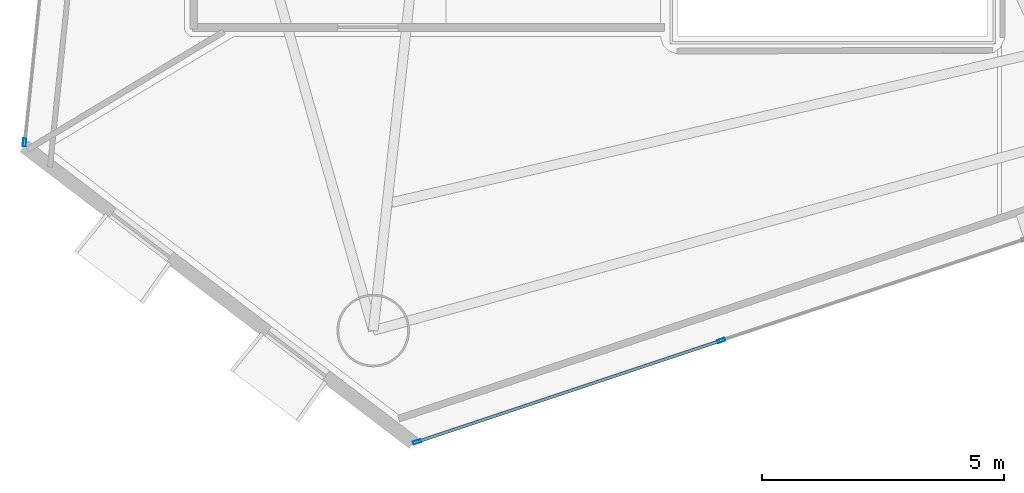
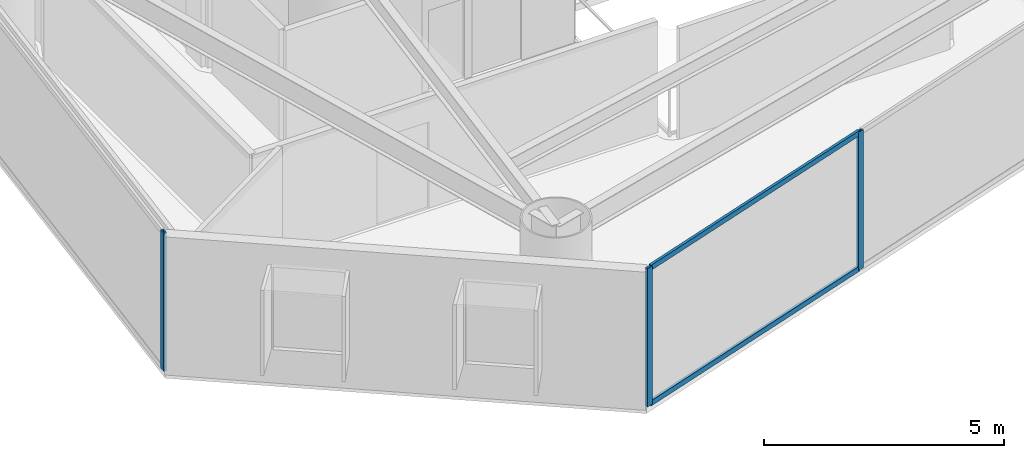
# One storey, part 2 of 19: 5 members, 2 elements without a shape of their own.
"""IFC4 building model written with IfcOpenShell, lengths in metres."""

from ifc_helpers import new_model, si_unit, direction, frame, origin, origin_2d, place, context, subcontext, project, spatial, hollow_rectangle, extrude, material, layer, layer_set, material_profile, profile_set, type_object, element, aggregate, save


model = new_model("IFC4")

# Units and contexts
model_context = context("Model", 3, precision=1e-05, world=origin(), true_north=direction((0.0, 1.0)))
body_context = subcontext(model_context, "Body", "Model", "MODEL_VIEW")
ifc_project = project(units=[si_unit("LENGTHUNIT", "METRE"), si_unit("AREAUNIT", "SQUARE_METRE"), si_unit("VOLUMEUNIT", "CUBIC_METRE"), si_unit("PLANEANGLEUNIT", "RADIAN"), si_unit("MASSUNIT", "GRAM", prefix="KILO")], contexts=[model_context])

# Site, building, storey
site_placement = place(None, origin())
site = spatial("IfcSite", under=ifc_project, at=site_placement, CompositionType="ELEMENT")
building_placement = place(site_placement, origin())
building = spatial("IfcBuilding", under=site, at=building_placement, Name="Qianvela Tower", CompositionType="ELEMENT")
storey_placement = place(building_placement, frame((0.0, 0.0, 120.0)))
storey = spatial("IfcBuildingStorey", under=building, at=storey_placement, Name="L30", CompositionType="ELEMENT", Elevation=120.0)

# Curtain wall, member
ifc_material_1 = material(Name="Anodised Architectural Aluminium and Low-E Glass", Category="aluminium")
ifc_layer = layer(ifc_material_1, 0.169921875)
ifc_layer_set = layer_set([ifc_layer], Name="Anodised Architectural Aluminium and Low-E Glass")
curtain_wall_type = type_object("IfcCurtainWallType", Name="CW-COLIV-Z34", PredefinedType="USERDEFINED", material=ifc_layer_set)
curtain_wall_1_placement = place(storey_placement, origin())
curtain_wall_1 = element("IfcCurtainWall", 1, at=curtain_wall_1_placement, inside=storey, type_object=curtain_wall_type, Name="L30 CW-COLIV-Z34 Curtain Wall 04C", ObjectType="CURTAIN_WALL_SYSTEM", PredefinedType="USERDEFINED")
ifc_material_2 = material(Name="Anodised Architectural Aluminium 6063-T6", Category="aluminium")
ifc_material_profile_1 = material_profile(ifc_material_2, hollow_rectangle(XDim=0.06494140625, YDim=0.159912109375, WallThickness=0.0048828125, at=origin_2d()), Name="ALU-MULL-65x160")
ifc_profile_set_1 = profile_set([ifc_material_profile_1], Name="Anodised Architectural Aluminium 6063-T6")
member_type_1 = type_object("IfcMemberType", Name="CW-COLIV-Z34-MULL", PredefinedType="MULLION", material=ifc_profile_set_1)
member_1_placement = place(storey_placement, frame((20.076904296875, 15.800537109375, 0.0), z_axis=(0.0, 0.0, 1.0), x_axis=(0.994667302995, -0.103135621161, 0.0)))
member_1 = element("IfcMember", 2, at=member_1_placement, type_object=member_type_1, Name="CW-4 mullion 2", PredefinedType="MULLION", context=body_context, shape_type="SweptSolid", body=[
    extrude(hollow_rectangle(XDim=0.06494140625, YDim=0.159912109375, WallThickness=0.0048828125, at=origin_2d()), origin(), (0.0, 0.0, 1.0), 3.52001953125),
])
aggregate(curtain_wall_1, [member_1])

# Curtain wall, members
curtain_wall_2_placement = place(storey_placement, origin())
curtain_wall_2 = element("IfcCurtainWall", 3, at=curtain_wall_2_placement, inside=storey, type_object=curtain_wall_type, Name="L30 CW-COLIV-Z34 Curtain Wall 06A", ObjectType="CURTAIN_WALL_SYSTEM", PredefinedType="USERDEFINED")
member_2_placement = place(storey_placement, frame((28.200927734375, 9.607421875, 0.0), z_axis=(0.0, 0.0, 1.0), x_axis=(-0.316196257999, 0.948693800142, 0.0)))
member_2 = element("IfcMember", 4, at=member_2_placement, type_object=member_type_1, Name="CW-4 mullion 1", PredefinedType="MULLION", context=body_context, shape_type="SweptSolid", body=[
    extrude(hollow_rectangle(XDim=0.06494140625, YDim=0.159912109375, WallThickness=0.0048828125, at=origin_2d()), origin(), (0.0, 0.0, 1.0), 3.52001953125),
])
member_3_placement = place(storey_placement, frame((34.4931640625, 11.70458984375, 0.0), z_axis=(0.0, 0.0, 1.0), x_axis=(-0.316196257999, 0.948693800142, 0.0)))
member_3 = element("IfcMember", 5, at=member_3_placement, type_object=member_type_1, Name="CW-4 mullion 2", PredefinedType="MULLION", context=body_context, shape_type="SweptSolid", body=[
    extrude(hollow_rectangle(XDim=0.06494140625, YDim=0.159912109375, WallThickness=0.0048828125, at=origin_2d()), origin(), (0.0, 0.0, 1.0), 3.52001953125),
])
ifc_material_3 = material(Name="Anodised Architectural Aluminium 6063-T6", Category="aluminium")
ifc_material_profile_2 = material_profile(ifc_material_3, hollow_rectangle(XDim=0.06494140625, YDim=0.1298828125, WallThickness=0.00439453125, at=origin_2d()), Name="ALU-TRAN-65x130")
ifc_profile_set_2 = profile_set([ifc_material_profile_2], Name="Anodised Architectural Aluminium 6063-T6")
member_type_2 = type_object("IfcMemberType", Name="CW-COLIV-Z34-TRAN", PredefinedType="USERDEFINED", material=ifc_profile_set_2)
member_4_placement = place(storey_placement, frame((28.231689453125, 9.61767578125, 0.032470703125), z_axis=(0.948694449388, 0.316194310039, 0.0), x_axis=(-0.316194310039, 0.948694449388, 0.0)))
member_4 = element("IfcMember", 6, at=member_4_placement, type_object=member_type_2, Name="CW-4 transom 1.1", ObjectType="TRANSOM", PredefinedType="USERDEFINED", context=body_context, shape_type="SweptSolid", body=[
    extrude(hollow_rectangle(XDim=0.06494140625, YDim=0.1298828125, WallThickness=0.00439453125, at=origin_2d()), origin(), (0.0, 0.0, 1.0), 6.567626953125),
])
member_5_placement = place(storey_placement, frame((28.231689453125, 9.61767578125, 3.487548828125), z_axis=(0.948694449388, 0.316194310039, 0.0), x_axis=(-0.316194310039, 0.948694449388, 0.0)))
member_5 = element("IfcMember", 7, at=member_5_placement, type_object=member_type_2, Name="CW-4 transom 1.2", ObjectType="TRANSOM", PredefinedType="USERDEFINED", context=body_context, shape_type="SweptSolid", body=[
    extrude(hollow_rectangle(XDim=0.06494140625, YDim=0.1298828125, WallThickness=0.00439453125, at=origin_2d()), origin(), (0.0, 0.0, 1.0), 6.567626953125),
])
aggregate(curtain_wall_2, [member_2, member_3, member_4, member_5])

save(model, "model.ifc")
